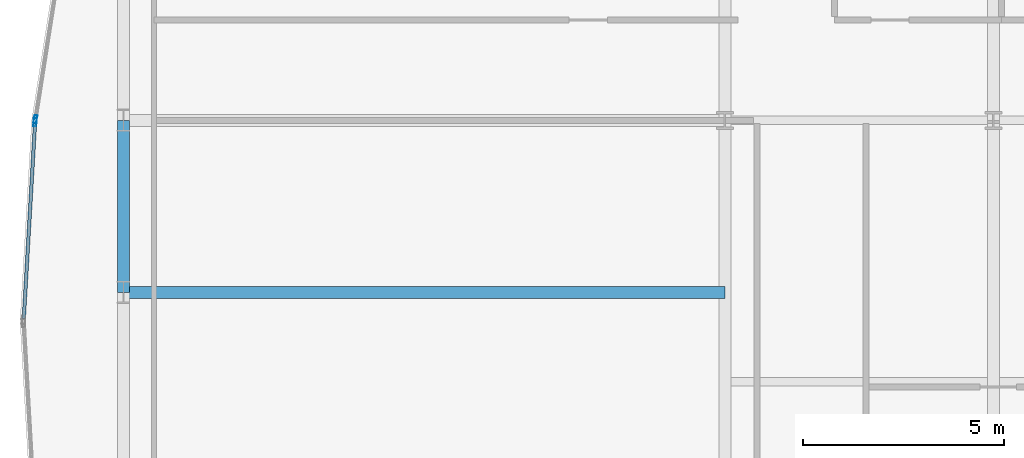
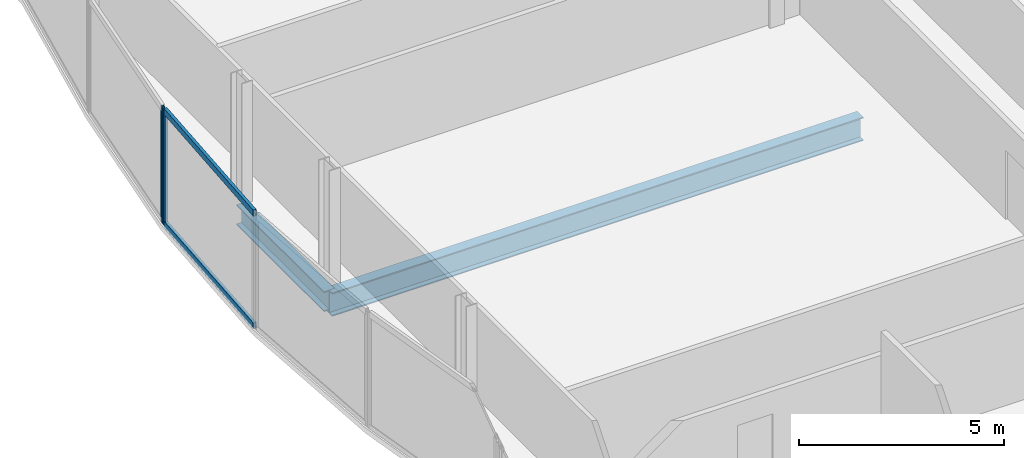
# One storey, part 11 of 32: 4 members, 2 beams, 2 elements without a shape of their own.
"""IFC4 building model written with IfcOpenShell, lengths in metres."""

from ifc_helpers import new_model, si_unit, direction, frame, origin, origin_2d, place, context, subcontext, project, spatial, hollow_rectangle, i_section, extrude, material, material_profile, profile_set, type_object, element, aggregate, save


model = new_model("IFC4")

# Units and contexts
model_context = context("Model", 3, precision=1e-05, world=origin(), true_north=direction((0.0, 1.0)))
body_context = subcontext(model_context, "Body", "Model", "MODEL_VIEW")
ifc_project = project(units=[si_unit("LENGTHUNIT", "METRE"), si_unit("AREAUNIT", "SQUARE_METRE"), si_unit("VOLUMEUNIT", "CUBIC_METRE"), si_unit("PLANEANGLEUNIT", "RADIAN"), si_unit("MASSUNIT", "GRAM", prefix="KILO")], contexts=[model_context])

# Site, building, storey
site_placement = place(None, origin())
site = spatial("IfcSite", under=ifc_project, at=site_placement, CompositionType="ELEMENT")
building_placement = place(site_placement, origin())
building = spatial("IfcBuilding", under=site, at=building_placement, Name="Khoronbel Lancet Exchange", CompositionType="ELEMENT")
storey_placement = place(building_placement, frame((0.0, 0.0, 111.0)))
storey = spatial("IfcBuildingStorey", under=building, at=storey_placement, Name="L26", CompositionType="ELEMENT", Elevation=111.0)

# Beams
ifc_material_1 = material(Name="Steel S355", Category="steel")
ifc_material_profile_1 = material_profile(ifc_material_1, i_section(OverallWidth=0.300048828125, OverallDepth=0.699951171875, WebThickness=0.01708984375, FlangeThickness=0.031982421875, at=origin_2d()), Name="HEB 700")
ifc_profile_set_1 = profile_set([ifc_material_profile_1], Name="Steel S355")
beam_type_1 = type_object("IfcBeamType", Name="BM-BG3", PredefinedType="BEAM", material=ifc_profile_set_1)
beam_1_placement = place(storey_placement, frame((3.27001953125, 31.425048828125, -0.510009765625), z_axis=(1.0, 0.0, 0.0), x_axis=(0.0, 1.0, 0.0)))
element("IfcBeam", 1, at=beam_1_placement, inside=storey, type_object=beam_type_1, Name="Level L26 west lens tie girder LG2W", PredefinedType="BEAM", context=body_context, shape_type="SweptSolid", body=[
    extrude(i_section(OverallWidth=0.300048828125, OverallDepth=0.699951171875, WebThickness=0.01708984375, FlangeThickness=0.031982421875, at=origin_2d()), origin(), (0.0, 0.0, 1.0), 14.955078125),
])
ifc_material_profile_2 = material_profile(ifc_material_1, i_section(OverallWidth=0.300048828125, OverallDepth=0.60009765625, WebThickness=0.015380859375, FlangeThickness=0.030029296875, at=origin_2d()), Name="HEB 600")
ifc_profile_set_2 = profile_set([ifc_material_profile_2], Name="Steel S355")
beam_type_2 = type_object("IfcBeamType", Name="BM-BSP2", PredefinedType="SPANDREL", material=ifc_profile_set_2)
beam_2_placement = place(storey_placement, frame((3.27001953125, 35.699951171875, -0.4599609375), z_axis=(0.0, -1.0, 0.0), x_axis=(1.0, 0.0, 0.0)))
element("IfcBeam", 2, at=beam_2_placement, inside=storey, type_object=beam_type_2, Name="Level L26 perimeter spandrel beam SP18", PredefinedType="SPANDREL", context=body_context, shape_type="SweptSolid", body=[
    extrude(i_section(OverallWidth=0.300048828125, OverallDepth=0.60009765625, WebThickness=0.015380859375, FlangeThickness=0.030029296875, at=origin_2d()), origin(), (0.0, 0.0, 1.0), 4.27490234375),
])

# Curtain wall, member
ifc_material_2 = material(Name="Low-E Solar Control Insulating Glass", Category="glass")
curtain_wall_type = type_object("IfcCurtainWallType", Name="CW-4", PredefinedType="NOTDEFINED", material=ifc_material_2)
curtain_wall_1_placement = place(storey_placement, origin())
curtain_wall_1 = element("IfcCurtainWall", 3, at=curtain_wall_1_placement, inside=storey, type_object=curtain_wall_type, Name="Unitised curtain wall CW-L26-E07", PredefinedType="NOTDEFINED")
ifc_material_3 = material(Name="Bronze-Anodised Aluminium 6063-T6", Category="aluminium")
ifc_material_profile_3 = material_profile(ifc_material_3, hollow_rectangle(XDim=0.074951171875, YDim=0.199951171875, WallThickness=0.0048828125, at=origin_2d()), Name="ALU MULLION 75x200")
ifc_profile_set_3 = profile_set([ifc_material_profile_3], Name="Bronze-Anodised Aluminium 6063-T6")
member_type_1 = type_object("IfcMemberType", Name="MEM-CWM2", PredefinedType="MULLION", material=ifc_profile_set_3)
member_1_placement = place(storey_placement, frame((1.075439453125, 35.653076171875, 0.0), z_axis=(0.0, 0.0, 1.0), x_axis=(-0.998344628145, 0.057515245397, 0.0)))
member_1 = element("IfcMember", 4, at=member_1_placement, type_object=member_type_1, Name="CW4 mullion 2", PredefinedType="MULLION", context=body_context, shape_type="SweptSolid", body=[
    extrude(hollow_rectangle(XDim=0.074951171875, YDim=0.199951171875, WallThickness=0.0048828125, at=origin_2d()), origin(), (0.0, 0.0, 1.0), 3.43994140625),
])

curtain_wall_2_placement = place(storey_placement, origin())
curtain_wall_2 = element("IfcCurtainWall", 5, at=curtain_wall_2_placement, inside=storey, type_object=curtain_wall_type, Name="Unitised curtain wall CW-L26-E08", PredefinedType="NOTDEFINED")
member_2_placement = place(storey_placement, frame((1.08349609375, 35.7275390625, 0.0), z_axis=(0.0, 0.0, 1.0), x_axis=(-0.987838563117, 0.155483031933, 0.0)))
member_2 = element("IfcMember", 6, at=member_2_placement, type_object=member_type_1, Name="CW4 mullion 1", PredefinedType="MULLION", context=body_context, shape_type="SweptSolid", body=[
    extrude(hollow_rectangle(XDim=0.074951171875, YDim=0.199951171875, WallThickness=0.0048828125, at=origin_2d()), origin(), (0.0, 0.0, 1.0), 3.43994140625),
])
aggregate(curtain_wall_2, [member_2])

# Member
ifc_material_profile_4 = material_profile(ifc_material_3, hollow_rectangle(XDim=0.0849609375, YDim=0.179931640625, WallThickness=0.0048828125, at=origin_2d()), Name="ALU TRANSOM 85x180")
ifc_profile_set_4 = profile_set([ifc_material_profile_4], Name="Bronze-Anodised Aluminium 6063-T6")
member_type_2 = type_object("IfcMemberType", Name="MEM-CWT1", PredefinedType="USERDEFINED", material=ifc_profile_set_4)
member_3_placement = place(storey_placement, frame((0.79443359375, 30.77490234375, 0.04248046875), z_axis=(0.057502919061, 0.998345338197, 0.0), x_axis=(-0.998345338197, 0.057502919061, 0.0)))
member_3 = element("IfcMember", 7, at=member_3_placement, type_object=member_type_2, Name="CW4 transom 1.1", ObjectType="TRANSOM", PredefinedType="USERDEFINED", context=body_context, shape_type="SweptSolid", body=[
    extrude(hollow_rectangle(XDim=0.0849609375, YDim=0.179931640625, WallThickness=0.0048828125, at=origin_2d()), origin(), (0.0, 0.0, 1.0), 4.8486328125),
])

member_4_placement = place(storey_placement, frame((0.79443359375, 30.77490234375, 3.3974609375), z_axis=(0.057502919061, 0.998345338197, 0.0), x_axis=(-0.998345338197, 0.057502919061, 0.0)))
member_4 = element("IfcMember", 8, at=member_4_placement, type_object=member_type_2, Name="CW4 transom 1.2", ObjectType="TRANSOM", PredefinedType="USERDEFINED", context=body_context, shape_type="SweptSolid", body=[
    extrude(hollow_rectangle(XDim=0.0849609375, YDim=0.179931640625, WallThickness=0.0048828125, at=origin_2d()), origin(), (0.0, 0.0, 1.0), 4.8486328125),
])

aggregate(curtain_wall_1, [member_1, member_3, member_4])

save(model, "model.ifc")
